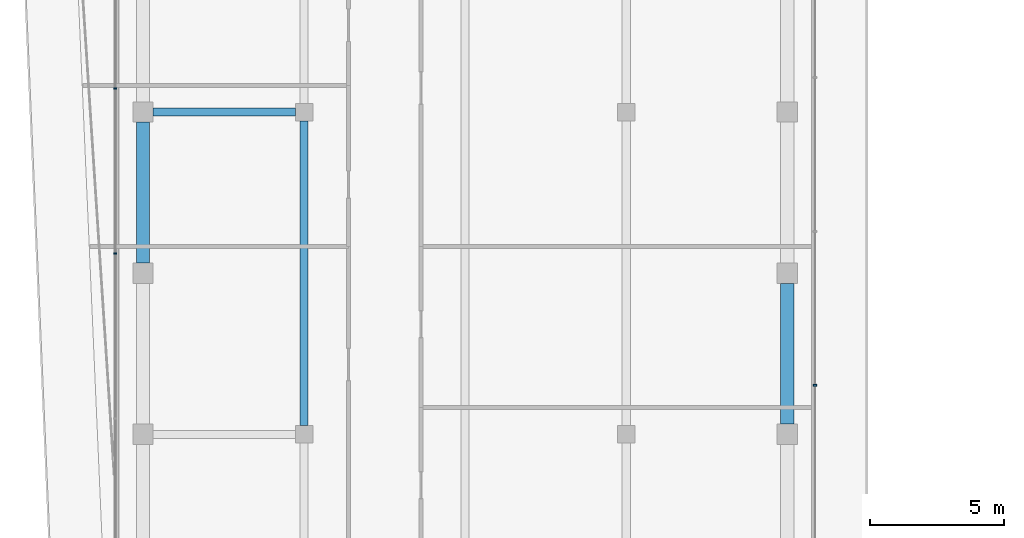
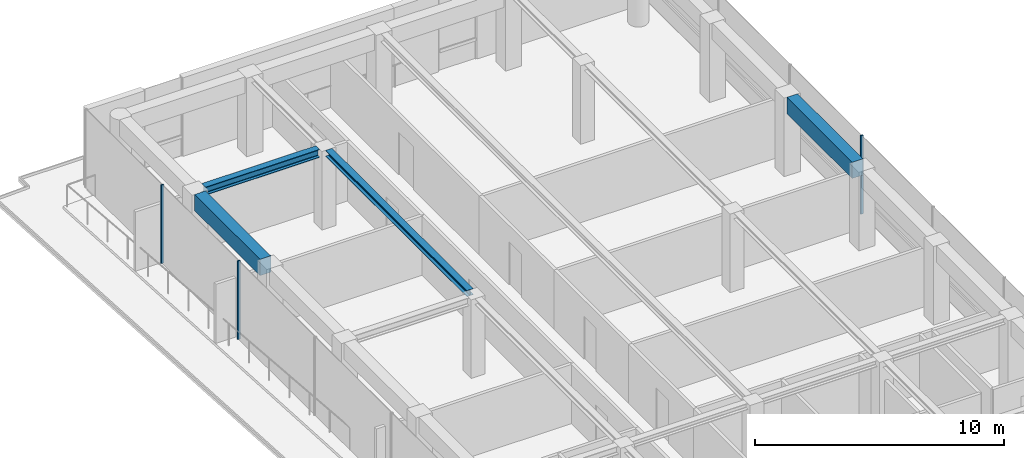
# One storey, part 12 of 20: 4 beams, 3 members, 2 elements without a shape of their own.
"""IFC4 building model written with IfcOpenShell, lengths in metres."""

import ifcopenshell
import ifcopenshell.guid

model = None  # the IFC model being written
_history = None  # IfcOwnerHistory: only IFC2X3 demands one
_inside = {}  # id of a spatial element -> (the spatial element, [elements in it])
_under = {}  # id of a project, library or spatial element -> (it, [spatial elements below it])
_declared = {}  # id of a project -> (the project, [libraries it declares])
_typed = {}  # id of a type object -> (the type object, [elements of that type])
_made_of = {}  # id of a material, layer set ... -> (it, [elements and type objects made of it])


def new_model(schema):
    """Start an empty IFC model of exactly this schema.

    Asked for "IFC4X3", IfcOpenShell would pick the latest addendum, in which some entities
    have other attributes; the version numbers below select the first issue.
    IFC2X3 requires an IfcOwnerHistory on every rooted entity: one is made here for all.
    """
    global model, _history
    if schema == "IFC4X3":
        model = ifcopenshell.file(schema_version=(4, 3, 0, 0))
    else:
        model = ifcopenshell.file(schema=schema)
    _inside.clear()
    _under.clear()
    _declared.clear()
    _typed.clear()
    _made_of.clear()
    _history = None
    if model.schema == "IFC2X3":
        org = make("IfcOrganization", Name="unknown")
        user = make(
            "IfcPersonAndOrganization",
            ThePerson=make("IfcPerson", FamilyName="unknown"),
            TheOrganization=org,
        )
        app = make(
            "IfcApplication",
            ApplicationDeveloper=org,
            Version="unknown",
            ApplicationFullName="unknown",
            ApplicationIdentifier="unknown",
        )
        _history = make(
            "IfcOwnerHistory",
            OwningUser=user,
            OwningApplication=app,
            ChangeAction="ADDED",
            CreationDate=0,
        )
    return model


def make(cls, **values):
    """One entity of the class cls with the attributes given. An attribute that is None is left unset."""
    return model.create_entity(
        cls, **{name: value for name, value in values.items() if value is not None}
    )


def rooted(cls, **values):
    """An entity with a GlobalId (a new one), such as an element, a storey or a relation."""
    return make(cls, GlobalId=ifcopenshell.guid.new(), OwnerHistory=_history, **values)


def si_unit(unit_type, name, prefix=None):
    """IfcSIUnit, for example si_unit("LENGTHUNIT", "METRE", prefix="MILLI")."""
    return make("IfcSIUnit", UnitType=unit_type, Prefix=prefix, Name=name)


def assignment(units):
    """IfcUnitAssignment: the units of a project."""
    return None if units is None else make("IfcUnitAssignment", Units=units)


def point(xyz):
    """IfcCartesianPoint."""
    return None if xyz is None else make("IfcCartesianPoint", Coordinates=xyz)


def direction(xyz):
    """IfcDirection."""
    return None if xyz is None else make("IfcDirection", DirectionRatios=xyz)


def frame(location, z_axis=None, x_axis=None):
    """IfcAxis2Placement3D, a coordinate frame: its origin and axes. An axis left out is left unset."""
    return make(
        "IfcAxis2Placement3D",
        Location=point(location),
        Axis=direction(z_axis),
        RefDirection=direction(x_axis),
    )


def frame_2d(location, x_axis=None):
    """IfcAxis2Placement2D, a coordinate frame in the plane: its origin and x axis."""
    return make(
        "IfcAxis2Placement2D", Location=point(location), RefDirection=direction(x_axis)
    )


def origin():
    """The frame at (0, 0, 0) with its axes left unset."""
    return frame((0.0, 0.0, 0.0))


def origin_2d():
    """The frame at (0, 0) in the plane with its x axis left unset."""
    return frame_2d((0.0, 0.0))


def place(relative_to, where):
    """IfcLocalPlacement: puts the frame where relative to a parent placement (None: the world)."""
    return make(
        "IfcLocalPlacement", PlacementRelTo=relative_to, RelativePlacement=where
    )


def context(
    kind, dimensions, precision=None, world=None, true_north=None, identifier=None
):
    """IfcGeometricRepresentationContext, for example the 3D "Model" context."""
    return make(
        "IfcGeometricRepresentationContext",
        ContextIdentifier=identifier,
        ContextType=kind,
        CoordinateSpaceDimension=dimensions,
        Precision=precision,
        WorldCoordinateSystem=world,
        TrueNorth=true_north,
    )


def subcontext(parent, identifier, kind, view, scale=None):
    """IfcGeometricRepresentationSubContext, for example "Body" below "Model"."""
    return make(
        "IfcGeometricRepresentationSubContext",
        ContextIdentifier=identifier,
        ContextType=kind,
        ParentContext=parent,
        TargetScale=scale,
        TargetView=view,
    )


def project(units=None, contexts=None):
    """IfcProject with its units and contexts."""
    return rooted(
        "IfcProject",
        Name="project",
        RepresentationContexts=contexts,
        UnitsInContext=assignment(units),
    )


def spatial(cls, under=None, at=None, **own):
    """A site, building, storey or space (cls), placed at a placement, below another one or the project."""
    s = rooted(cls, ObjectPlacement=at, **own)
    if under is not None:
        _under.setdefault(under.id(), (under, []))[1].append(s)
    return s


def profile(cls, at=None, kind="AREA", **sizes):
    """A parametric profile (cls). Its sizes go by their IFC names, for example OverallWidth=200.0."""
    return make(cls, ProfileType=kind, Position=at, **sizes)


def rectangle(**sizes):
    """IfcRectangleProfileDef."""
    return profile("IfcRectangleProfileDef", **sizes)


def i_section(**sizes):
    """IfcIShapeProfileDef."""
    return profile("IfcIShapeProfileDef", **sizes)


def extrude(swept, where, along, depth):
    """IfcExtrudedAreaSolid: the profile swept, set in the frame where, extruded along a direction by depth."""
    return make(
        "IfcExtrudedAreaSolid",
        SweptArea=swept,
        Position=where,
        ExtrudedDirection=direction(along),
        Depth=depth,
    )


def shape(context_of_items, identifier, shape_type, items):
    """IfcShapeRepresentation: the items that make up one representation, for example the "Body"."""
    return make(
        "IfcShapeRepresentation",
        ContextOfItems=context_of_items,
        RepresentationIdentifier=identifier,
        RepresentationType=shape_type,
        Items=items,
    )


def material(Name=None, Category=None):
    """IfcMaterial."""
    return make("IfcMaterial", Name=Name, Category=Category)


def layer(
    of_material, thickness, ventilated=None, Name=None, Category=None, Priority=None
):
    """IfcMaterialLayer: one layer of a wall or slab, of a material (None: an air gap)."""
    return make(
        "IfcMaterialLayer",
        Material=of_material,
        LayerThickness=thickness,
        IsVentilated=ventilated,
        Name=Name,
        Category=Category,
        Priority=Priority,
    )


def layer_set(layers, Name=None):
    """IfcMaterialLayerSet."""
    return make("IfcMaterialLayerSet", MaterialLayers=layers, LayerSetName=Name)


def material_profile(
    of_material, cross_section, Name=None, Category=None, Priority=None
):
    """IfcMaterialProfile: a cross section and its material."""
    return make(
        "IfcMaterialProfile",
        Name=Name,
        Material=of_material,
        Profile=cross_section,
        Priority=Priority,
        Category=Category,
    )


def profile_set(profiles, Name=None, composite=None):
    """IfcMaterialProfileSet."""
    return make(
        "IfcMaterialProfileSet",
        Name=Name,
        MaterialProfiles=profiles,
        CompositeProfile=composite,
    )


def made_of(thing, what):
    """Note that an element or type object is made of a material, layer set ...; save() writes the relation."""
    if what is not None:
        _made_of.setdefault(what.id(), (what, []))[1].append(thing)
    return thing


def type_object(cls, material=None, **own):
    """A type object (cls), such as IfcWallType, which elements share."""
    return made_of(rooted(cls, **own), material)


def element(
    cls,
    number,
    at=None,
    inside=None,
    cuts=None,
    type_object=None,
    material=None,
    context=None,
    identifier="Body",
    shape_type=None,
    held_by="IfcProductDefinitionShape",
    body=None,
    shapes=None,
    **own,
):
    """One element of the class cls, such as IfcWall. Its Tag is "e" and its number.

    at: its placement. inside: the storey or other place that contains it. cuts: it is an
    opening in that element (IfcRelVoidsElement). A single representation is given by context,
    identifier, shape_type and body (its items); several are given by shapes. held_by: the class
    of the entity that holds the representations. save() writes the other relations.
    """
    e = rooted(cls, Tag="e%d" % number, ObjectPlacement=at, **own)
    if body is not None:
        shapes = [shape(context, identifier, shape_type, body)]
    if shapes is not None:
        e.Representation = make(held_by, Representations=shapes)
    if inside is not None:
        _inside.setdefault(inside.id(), (inside, []))[1].append(e)
    if cuts is not None:
        rooted(
            "IfcRelVoidsElement", RelatingBuildingElement=cuts, RelatedOpeningElement=e
        )
    if type_object is not None:
        _typed.setdefault(type_object.id(), (type_object, []))[1].append(e)
    return made_of(e, material)


def aggregate(whole, parts):
    """IfcRelAggregates: a whole, such as a stair, and the parts it consists of."""
    return rooted("IfcRelAggregates", RelatingObject=whole, RelatedObjects=parts)


def save(model, path):
    """Write the relations noted so far, then the file.

    IfcRelAggregates (storeys below a building ...), IfcRelContainedInSpatialStructure (elements
    in a storey), IfcRelDefinesByType, IfcRelAssociatesMaterial and IfcRelDeclares: one each for
    every whole, place, type object, material and project.
    """
    for whole, parts in _under.values():
        aggregate(whole, parts)
    for where, things in _inside.values():
        rooted(
            "IfcRelContainedInSpatialStructure",
            RelatedElements=things,
            RelatingStructure=where,
        )
    for kind, things in _typed.values():
        rooted("IfcRelDefinesByType", RelatedObjects=things, RelatingType=kind)
    for what, things in _made_of.values():
        rooted("IfcRelAssociatesMaterial", RelatedObjects=things, RelatingMaterial=what)
    for by, libraries in _declared.values():
        rooted("IfcRelDeclares", RelatingContext=by, RelatedDefinitions=libraries)
    model.write(path)


model = new_model("IFC4")

# Units and contexts
model_context = context("Model", 3, precision=1e-05, world=origin(), true_north=direction((0.0, 1.0)))
body_context = subcontext(model_context, "Body", "Model", "MODEL_VIEW")
ifc_project = project(units=[si_unit("LENGTHUNIT", "METRE"), si_unit("AREAUNIT", "SQUARE_METRE"), si_unit("VOLUMEUNIT", "CUBIC_METRE"), si_unit("PLANEANGLEUNIT", "RADIAN"), si_unit("MASSUNIT", "GRAM", prefix="KILO")], contexts=[model_context])

# Site, building, storey
site_placement = place(None, origin())
site = spatial("IfcSite", under=ifc_project, at=site_placement, CompositionType="ELEMENT")
building_placement = place(site_placement, origin())
building = spatial("IfcBuilding", under=site, at=building_placement, Name="Welwitschia Terrace Campus", CompositionType="ELEMENT")
storey_placement = place(building_placement, frame((0.0, 0.0, 297.800048828125)))
storey = spatial("IfcBuildingStorey", under=building, at=storey_placement, Name="L66", CompositionType="ELEMENT", Elevation=297.800048828125)

# Beam
ifc_material_1 = material(Name="Steel S355", Category="steel")
ifc_material_profile_1 = material_profile(ifc_material_1, i_section(OverallWidth=0.300048828125, OverallDepth=0.300048828125, WebThickness=0.010986328125, FlangeThickness=0.01904296875, FilletRadius=0.027099609375, at=origin_2d()))
ifc_profile_set_1 = profile_set([ifc_material_profile_1], Name="Steel S355")
beam_type_1 = type_object("IfcBeamType", Name="Interior girder HE 300 B", PredefinedType="BEAM", material=ifc_profile_set_1)
beam_1_placement = place(storey_placement, frame((6.0, 44.325439453125, 3.699951171875), z_axis=(0.0, 1.0, 0.0), x_axis=(-1.0, 0.0, 0.0)))
element("IfcBeam", 1, at=beam_1_placement, inside=storey, type_object=beam_type_1, Name="Girder GB6", PredefinedType="BEAM", context=body_context, shape_type="SweptSolid", body=[
    extrude(i_section(OverallWidth=0.300048828125, OverallDepth=0.300048828125, WebThickness=0.010986328125, FlangeThickness=0.01904296875, FilletRadius=0.027099609375, at=origin_2d()), origin(), (0.0, 0.0, 1.0), 11.34912109375),
])

# Curtain wall, member
ifc_material_2 = material(Name="Bronze anodised aluminium", Category="aluminium")
ifc_layer = layer(ifc_material_2, 0.1201171875)
ifc_layer_set = layer_set([ifc_layer], Name="Bronze anodised aluminium")
curtain_wall_type = type_object("IfcCurtainWallType", Name="Curtain wall CW2 tower 6000", PredefinedType="NOTDEFINED", material=ifc_layer_set)
curtain_wall_1_placement = place(storey_placement, origin())
curtain_wall_1 = element("IfcCurtainWall", 2, at=curtain_wall_1_placement, inside=storey, type_object=curtain_wall_type, Name="CW L66.6.0", PredefinedType="NOTDEFINED")
ifc_material_3 = material(Name="Bronze anodised aluminium", Category="aluminium")
ifc_material_profile_2 = material_profile(ifc_material_3, rectangle(XDim=0.1201171875, YDim=0.06005859375, at=origin_2d()))
ifc_profile_set_2 = profile_set([ifc_material_profile_2], Name="Bronze anodised aluminium")
member_type = type_object("IfcMemberType", Name="Mullion 60x120", PredefinedType="MULLION", material=ifc_profile_set_2)
member_1_placement = place(storey_placement, frame((25.030029296875, 45.825927734375, 0.0), z_axis=(0.0, 0.0, 1.0), x_axis=(-1.0, 0.0, 0.0)))
member_1 = element("IfcMember", 3, at=member_1_placement, type_object=member_type, Name="Mullion L66.6.0.3", PredefinedType="MULLION", context=body_context, shape_type="SweptSolid", body=[
    extrude(rectangle(XDim=0.1201171875, YDim=0.06005859375, at=origin_2d()), origin(), (0.0, 0.0, 1.0), 3.849853515625),
])
aggregate(curtain_wall_1, [member_1])

# Curtain wall, members
curtain_wall_2_placement = place(storey_placement, origin())
curtain_wall_2 = element("IfcCurtainWall", 4, at=curtain_wall_2_placement, inside=storey, type_object=curtain_wall_type, Name="CW L66.9.0", PredefinedType="NOTDEFINED")
member_2_placement = place(storey_placement, frame((-1.030029296875, 56.88427734375, 0.0), z_axis=(0.0, 0.0, 1.0), x_axis=(1.0, 0.0, 0.0)))
member_2 = element("IfcMember", 5, at=member_2_placement, type_object=member_type, Name="Mullion L66.9.0.1", PredefinedType="MULLION", context=body_context, shape_type="SweptSolid", body=[
    extrude(rectangle(XDim=0.1201171875, YDim=0.06005859375, at=origin_2d()), origin(), (0.0, 0.0, 1.0), 3.849853515625),
])
member_3_placement = place(storey_placement, frame((-1.030029296875, 50.73876953125, 0.0), z_axis=(0.0, 0.0, 1.0), x_axis=(1.0, 0.0, 0.0)))
member_3 = element("IfcMember", 6, at=member_3_placement, type_object=member_type, Name="Mullion L66.9.0.2", PredefinedType="MULLION", context=body_context, shape_type="SweptSolid", body=[
    extrude(rectangle(XDim=0.1201171875, YDim=0.06005859375, at=origin_2d()), origin(), (0.0, 0.0, 1.0), 3.849853515625),
])
aggregate(curtain_wall_2, [member_2, member_3])

# Beams
ifc_material_4 = material(Name="Steel S355", Category="steel")
ifc_material_profile_3 = material_profile(ifc_material_4, i_section(OverallWidth=0.300048828125, OverallDepth=0.39990234375, WebThickness=0.013427734375, FlangeThickness=0.02392578125, FilletRadius=0.027099609375, at=origin_2d()))
ifc_profile_set_3 = profile_set([ifc_material_profile_3], Name="Steel S355")
beam_type_2 = type_object("IfcBeamType", Name="Primary beam HE 400 B", PredefinedType="BEAM", material=ifc_profile_set_3)
beam_2_placement = place(storey_placement, frame((0.37548828125, 56.0, 3.64990234375), z_axis=(1.0, 0.0, 0.0), x_axis=(0.0, 1.0, 0.0)))
element("IfcBeam", 7, at=beam_2_placement, inside=storey, type_object=beam_type_2, Name="Primary beam PB6", PredefinedType="BEAM", context=body_context, shape_type="SweptSolid", body=[
    extrude(i_section(OverallWidth=0.300048828125, OverallDepth=0.39990234375, WebThickness=0.013427734375, FlangeThickness=0.02392578125, FilletRadius=0.027099609375, at=origin_2d()), origin(), (0.0, 0.0, 1.0), 5.299072265625),
])
ifc_material_5 = material(Name="Concrete C50/60", Category="concrete")
ifc_material_profile_4 = material_profile(ifc_material_5, rectangle(XDim=0.5, YDim=0.800048828125, at=origin_2d()))
ifc_profile_set_4 = profile_set([ifc_material_profile_4], Name="Concrete C50/60")
beam_type_3 = type_object("IfcBeamType", Name="Ring spandrel 500x800", PredefinedType="SPANDREL", material=ifc_profile_set_4)
for number, where, z_axis, x_axis, name in (
    (8, (24.0, 44.37548828125, 3.449951171875), (0.0, 1.0, 0.0), (-1.0, 0.0, 0.0), "Spandrel SP4"),
    (9, (0.0, 55.62451171875, 3.449951171875), (0.0, -1.0, 0.0), (1.0, 0.0, 0.0), "Spandrel SP4"),
):
    element("IfcBeam", number, at=place(storey_placement, frame(where, z_axis=z_axis, x_axis=x_axis)), inside=storey, type_object=beam_type_3, Name=name, PredefinedType="SPANDREL", context=body_context, shape_type="SweptSolid", body=[
        extrude(rectangle(XDim=0.5, YDim=0.800048828125, at=origin_2d()), origin(), (0.0, 0.0, 1.0), 5.2490234375),
    ])

save(model, "model.ifc")
